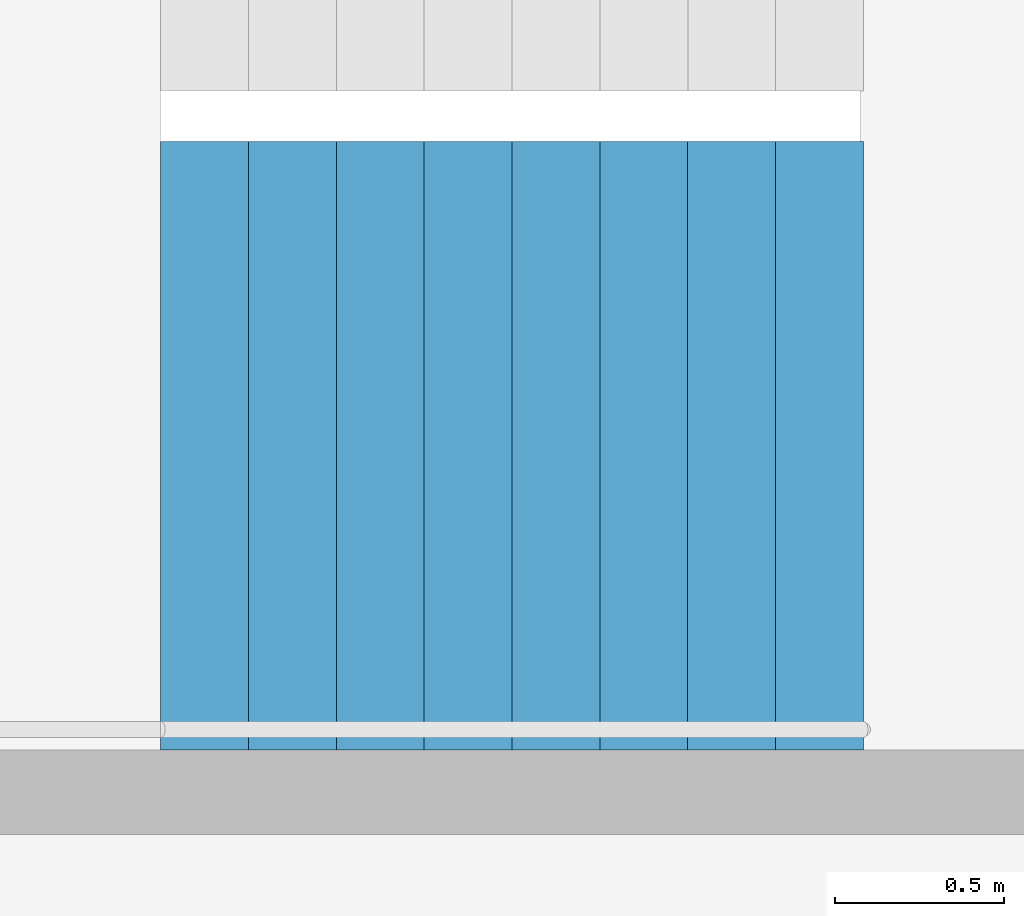
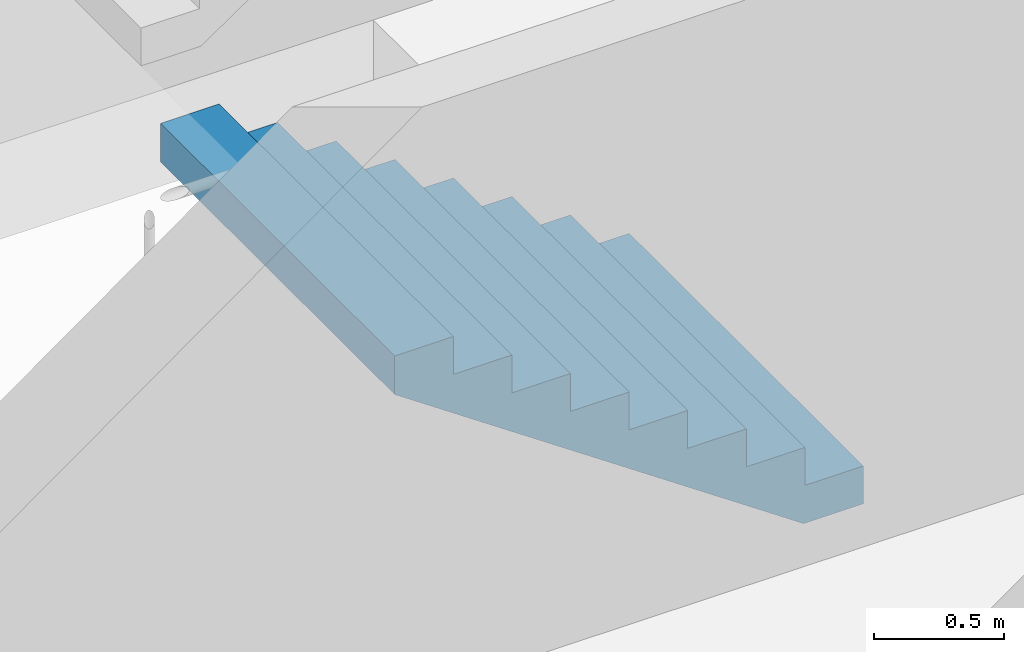
# One storey, part 24 of 30: 1 stair flight, 1 element without a shape of its own.
"""IFC4 building model written with IfcOpenShell, lengths in metres."""

import ifcopenshell
import ifcopenshell.guid

model = None  # the IFC model being written
_history = None  # IfcOwnerHistory: only IFC2X3 demands one
_inside = {}  # id of a spatial element -> (the spatial element, [elements in it])
_under = {}  # id of a project, library or spatial element -> (it, [spatial elements below it])
_declared = {}  # id of a project -> (the project, [libraries it declares])
_typed = {}  # id of a type object -> (the type object, [elements of that type])
_made_of = {}  # id of a material, layer set ... -> (it, [elements and type objects made of it])


def new_model(schema):
    """Start an empty IFC model of exactly this schema.

    Asked for "IFC4X3", IfcOpenShell would pick the latest addendum, in which some entities
    have other attributes; the version numbers below select the first issue.
    IFC2X3 requires an IfcOwnerHistory on every rooted entity: one is made here for all.
    """
    global model, _history
    if schema == "IFC4X3":
        model = ifcopenshell.file(schema_version=(4, 3, 0, 0))
    else:
        model = ifcopenshell.file(schema=schema)
    _inside.clear()
    _under.clear()
    _declared.clear()
    _typed.clear()
    _made_of.clear()
    _history = None
    if model.schema == "IFC2X3":
        org = make("IfcOrganization", Name="unknown")
        user = make(
            "IfcPersonAndOrganization",
            ThePerson=make("IfcPerson", FamilyName="unknown"),
            TheOrganization=org,
        )
        app = make(
            "IfcApplication",
            ApplicationDeveloper=org,
            Version="unknown",
            ApplicationFullName="unknown",
            ApplicationIdentifier="unknown",
        )
        _history = make(
            "IfcOwnerHistory",
            OwningUser=user,
            OwningApplication=app,
            ChangeAction="ADDED",
            CreationDate=0,
        )
    return model


def make(cls, **values):
    """One entity of the class cls with the attributes given. An attribute that is None is left unset."""
    return model.create_entity(
        cls, **{name: value for name, value in values.items() if value is not None}
    )


def rooted(cls, **values):
    """An entity with a GlobalId (a new one), such as an element, a storey or a relation."""
    return make(cls, GlobalId=ifcopenshell.guid.new(), OwnerHistory=_history, **values)


def si_unit(unit_type, name, prefix=None):
    """IfcSIUnit, for example si_unit("LENGTHUNIT", "METRE", prefix="MILLI")."""
    return make("IfcSIUnit", UnitType=unit_type, Prefix=prefix, Name=name)


def assignment(units):
    """IfcUnitAssignment: the units of a project."""
    return None if units is None else make("IfcUnitAssignment", Units=units)


def point(xyz):
    """IfcCartesianPoint."""
    return None if xyz is None else make("IfcCartesianPoint", Coordinates=xyz)


def direction(xyz):
    """IfcDirection."""
    return None if xyz is None else make("IfcDirection", DirectionRatios=xyz)


def frame(location, z_axis=None, x_axis=None):
    """IfcAxis2Placement3D, a coordinate frame: its origin and axes. An axis left out is left unset."""
    return make(
        "IfcAxis2Placement3D",
        Location=point(location),
        Axis=direction(z_axis),
        RefDirection=direction(x_axis),
    )


def origin():
    """The frame at (0, 0, 0) with its axes left unset."""
    return frame((0.0, 0.0, 0.0))


def place(relative_to, where):
    """IfcLocalPlacement: puts the frame where relative to a parent placement (None: the world)."""
    return make(
        "IfcLocalPlacement", PlacementRelTo=relative_to, RelativePlacement=where
    )


def context(
    kind, dimensions, precision=None, world=None, true_north=None, identifier=None
):
    """IfcGeometricRepresentationContext, for example the 3D "Model" context."""
    return make(
        "IfcGeometricRepresentationContext",
        ContextIdentifier=identifier,
        ContextType=kind,
        CoordinateSpaceDimension=dimensions,
        Precision=precision,
        WorldCoordinateSystem=world,
        TrueNorth=true_north,
    )


def subcontext(parent, identifier, kind, view, scale=None):
    """IfcGeometricRepresentationSubContext, for example "Body" below "Model"."""
    return make(
        "IfcGeometricRepresentationSubContext",
        ContextIdentifier=identifier,
        ContextType=kind,
        ParentContext=parent,
        TargetScale=scale,
        TargetView=view,
    )


def project(units=None, contexts=None):
    """IfcProject with its units and contexts."""
    return rooted(
        "IfcProject",
        Name="project",
        RepresentationContexts=contexts,
        UnitsInContext=assignment(units),
    )


def spatial(cls, under=None, at=None, **own):
    """A site, building, storey or space (cls), placed at a placement, below another one or the project."""
    s = rooted(cls, ObjectPlacement=at, **own)
    if under is not None:
        _under.setdefault(under.id(), (under, []))[1].append(s)
    return s


def point_list(points):
    """IfcCartesianPointList2D or 3D."""
    cls = (
        "IfcCartesianPointList2D" if len(points[0]) == 2 else "IfcCartesianPointList3D"
    )
    return make(cls, CoordList=points)


def triangles(points, corners, closed=None, point_numbers=None):
    """IfcTriangulatedFaceSet: each triangle names its three corners, points numbered from 1."""
    return make(
        "IfcTriangulatedFaceSet",
        Coordinates=point_list(points),
        Closed=closed,
        CoordIndex=corners,
        PnIndex=point_numbers,
    )


def shape(context_of_items, identifier, shape_type, items):
    """IfcShapeRepresentation: the items that make up one representation, for example the "Body"."""
    return make(
        "IfcShapeRepresentation",
        ContextOfItems=context_of_items,
        RepresentationIdentifier=identifier,
        RepresentationType=shape_type,
        Items=items,
    )


def material(Name=None, Category=None):
    """IfcMaterial."""
    return make("IfcMaterial", Name=Name, Category=Category)


def made_of(thing, what):
    """Note that an element or type object is made of a material, layer set ...; save() writes the relation."""
    if what is not None:
        _made_of.setdefault(what.id(), (what, []))[1].append(thing)
    return thing


def type_object(cls, material=None, **own):
    """A type object (cls), such as IfcWallType, which elements share."""
    return made_of(rooted(cls, **own), material)


def element(
    cls,
    number,
    at=None,
    inside=None,
    cuts=None,
    type_object=None,
    material=None,
    context=None,
    identifier="Body",
    shape_type=None,
    held_by="IfcProductDefinitionShape",
    body=None,
    shapes=None,
    **own,
):
    """One element of the class cls, such as IfcWall. Its Tag is "e" and its number.

    at: its placement. inside: the storey or other place that contains it. cuts: it is an
    opening in that element (IfcRelVoidsElement). A single representation is given by context,
    identifier, shape_type and body (its items); several are given by shapes. held_by: the class
    of the entity that holds the representations. save() writes the other relations.
    """
    e = rooted(cls, Tag="e%d" % number, ObjectPlacement=at, **own)
    if body is not None:
        shapes = [shape(context, identifier, shape_type, body)]
    if shapes is not None:
        e.Representation = make(held_by, Representations=shapes)
    if inside is not None:
        _inside.setdefault(inside.id(), (inside, []))[1].append(e)
    if cuts is not None:
        rooted(
            "IfcRelVoidsElement", RelatingBuildingElement=cuts, RelatedOpeningElement=e
        )
    if type_object is not None:
        _typed.setdefault(type_object.id(), (type_object, []))[1].append(e)
    return made_of(e, material)


def aggregate(whole, parts):
    """IfcRelAggregates: a whole, such as a stair, and the parts it consists of."""
    return rooted("IfcRelAggregates", RelatingObject=whole, RelatedObjects=parts)


def save(model, path):
    """Write the relations noted so far, then the file.

    IfcRelAggregates (storeys below a building ...), IfcRelContainedInSpatialStructure (elements
    in a storey), IfcRelDefinesByType, IfcRelAssociatesMaterial and IfcRelDeclares: one each for
    every whole, place, type object, material and project.
    """
    for whole, parts in _under.values():
        aggregate(whole, parts)
    for where, things in _inside.values():
        rooted(
            "IfcRelContainedInSpatialStructure",
            RelatedElements=things,
            RelatingStructure=where,
        )
    for kind, things in _typed.values():
        rooted("IfcRelDefinesByType", RelatedObjects=things, RelatingType=kind)
    for what, things in _made_of.values():
        rooted("IfcRelAssociatesMaterial", RelatedObjects=things, RelatingMaterial=what)
    for by, libraries in _declared.values():
        rooted("IfcRelDeclares", RelatingContext=by, RelatedDefinitions=libraries)
    model.write(path)


model = new_model("IFC4")

# Units and contexts
model_context = context("Model", 3, precision=1e-05, world=origin(), true_north=direction((0.0, 1.0)))
body_context = subcontext(model_context, "Body", "Model", "MODEL_VIEW")
ifc_project = project(units=[si_unit("LENGTHUNIT", "METRE"), si_unit("AREAUNIT", "SQUARE_METRE"), si_unit("VOLUMEUNIT", "CUBIC_METRE"), si_unit("PLANEANGLEUNIT", "RADIAN"), si_unit("MASSUNIT", "GRAM", prefix="KILO")], contexts=[model_context])

# Site, building, storey
site_placement = place(None, origin())
site = spatial("IfcSite", under=ifc_project, at=site_placement, CompositionType="ELEMENT")
building_placement = place(site_placement, origin())
building = spatial("IfcBuilding", under=site, at=building_placement, Name="Hakoniwa Tower and Hamabe Station Hall", CompositionType="ELEMENT")
storey_placement = place(building_placement, frame((0.0, 0.0, 245.39990234375)))
storey = spatial("IfcBuildingStorey", under=building, at=storey_placement, Name="L69", CompositionType="ELEMENT", Elevation=245.39990234375)

# Stair, stair flight
ifc_material_1 = material(Name="Concrete C40", Category="concrete")
stair_type = type_object("IfcStairType", Name="ESCAPE STAIR 1800", PredefinedType="HALF_TURN_STAIR", material=ifc_material_1)
stair_placement = place(storey_placement, origin())
stair = element("IfcStair", 1, at=stair_placement, inside=storey, type_object=stair_type, Name="Escape stair ST-3 L69", PredefinedType="HALF_TURN_STAIR")
ifc_material_2 = material(Name="Concrete C40", Category="concrete")
stair_flight_type = type_object("IfcStairFlightType", Name="STAIR FLIGHT 1800", PredefinedType="STRAIGHT", material=ifc_material_2)
stair_flight_placement = place(storey_placement, frame((24.39990234375, 4.64990234375, 0.0), z_axis=(0.0, 0.0, 1.0), x_axis=(-1.0, 0.0, 0.0)))
stair_flight = element("IfcStairFlight", 2, at=stair_flight_placement, type_object=stair_flight_type, Name="ST-3 flight 1", NumberOfRisers=9, NumberOfTreads=8, PredefinedType="STRAIGHT", RiserHeight=0.177777778, TreadLength=0.26, context=body_context, shape_type="Tessellation", body=[
    triangles([(0.0, 0.89990234375, 0.0), (0.260009765625, 0.89990234375, 0.0), (0.265625, 0.89990234375, 0.0), (0.52001953125, 0.89990234375, 0.174072265625), (0.780029296875, 0.89990234375, 0.351806640625), (1.0400390625, 0.89990234375, 0.529541015625), (1.300048828125, 0.89990234375, 0.707275390625), (1.56005859375, 0.89990234375, 0.885009765625), (1.820068359375, 0.89990234375, 1.062744140625), (2.080078125, 0.89990234375, 1.24072265625), (2.080078125, 0.89990234375, 1.422119140625), (1.820068359375, 0.89990234375, 1.422119140625), (1.820068359375, 0.89990234375, 1.244384765625), (1.56005859375, 0.89990234375, 1.244384765625), (1.56005859375, 0.89990234375, 1.066650390625), (1.300048828125, 0.89990234375, 1.066650390625), (1.300048828125, 0.89990234375, 0.888916015625), (1.0400390625, 0.89990234375, 0.888916015625), (1.0400390625, 0.89990234375, 0.711181640625), (0.780029296875, 0.89990234375, 0.711181640625), (0.780029296875, 0.89990234375, 0.533447265625), (0.52001953125, 0.89990234375, 0.533447265625), (0.52001953125, 0.89990234375, 0.35546875), (0.265625, 0.89990234375, 0.35546875), (0.260009765625, 0.89990234375, 0.35546875), (0.260009765625, 0.89990234375, 0.177734375), (0.0, 0.89990234375, 0.177734375), (0.0, 0.06005859375, 0.0), (0.260009765625, 0.06005859375, 0.0), (0.265625, 0.06005859375, 0.0), (0.52001953125, 0.06005859375, 0.174072265625), (0.780029296875, 0.06005859375, 0.351806640625), (1.0400390625, 0.06005859375, 0.529541015625), (1.300048828125, 0.06005859375, 0.707275390625), (1.56005859375, 0.06005859375, 0.885009765625), (1.820068359375, 0.06005859375, 1.062744140625), (2.080078125, 0.06005859375, 1.24072265625), (2.080078125, 0.06005859375, 1.422119140625), (1.820068359375, 0.06005859375, 1.422119140625), (1.820068359375, 0.06005859375, 1.244384765625), (1.56005859375, 0.06005859375, 1.244384765625), (1.56005859375, 0.06005859375, 1.066650390625), (1.300048828125, 0.06005859375, 1.066650390625), (1.300048828125, 0.06005859375, 0.888916015625), (1.0400390625, 0.06005859375, 0.888916015625), (1.0400390625, 0.06005859375, 0.711181640625), (0.780029296875, 0.06005859375, 0.711181640625), (0.780029296875, 0.06005859375, 0.533447265625), (0.52001953125, 0.06005859375, 0.533447265625), (0.52001953125, 0.06005859375, 0.35546875), (0.265625, 0.06005859375, 0.35546875), (0.260009765625, 0.06005859375, 0.35546875), (0.260009765625, 0.06005859375, 0.177734375), (0.0, 0.06005859375, 0.177734375), (0.0, 0.04296875, 0.0), (0.260009765625, 0.04296875, 0.0), (0.265625, 0.04296875, 0.0), (0.52001953125, 0.04296875, 0.174072265625), (0.780029296875, 0.04296875, 0.351806640625), (1.0400390625, 0.04296875, 0.529541015625), (1.300048828125, 0.04296875, 0.707275390625), (1.56005859375, 0.04296875, 0.885009765625), (1.820068359375, 0.04296875, 1.062744140625), (2.080078125, 0.04296875, 1.24072265625), (2.080078125, 0.04296875, 1.422119140625), (1.820068359375, 0.04296875, 1.422119140625), (1.820068359375, 0.04296875, 1.244384765625), (1.56005859375, 0.04296875, 1.244384765625), (1.56005859375, 0.04296875, 1.066650390625), (1.300048828125, 0.04296875, 1.066650390625), (1.300048828125, 0.04296875, 0.888916015625), (1.0400390625, 0.04296875, 0.888916015625), (1.0400390625, 0.04296875, 0.711181640625), (0.780029296875, 0.04296875, 0.711181640625), (0.780029296875, 0.04296875, 0.533447265625), (0.52001953125, 0.04296875, 0.533447265625), (0.52001953125, 0.04296875, 0.35546875), (0.265625, 0.04296875, 0.35546875), (0.260009765625, 0.04296875, 0.35546875), (0.260009765625, 0.04296875, 0.177734375), (0.0, 0.04296875, 0.177734375), (0.0, 0.025634765625, 0.0), (0.260009765625, 0.025634765625, 0.0), (0.265625, 0.025634765625, 0.0), (0.52001953125, 0.025634765625, 0.174072265625), (0.780029296875, 0.025634765625, 0.351806640625), (1.0400390625, 0.025634765625, 0.529541015625), (1.300048828125, 0.025634765625, 0.707275390625), (1.56005859375, 0.025634765625, 0.885009765625), (1.820068359375, 0.025634765625, 1.062744140625), (2.080078125, 0.025634765625, 1.24072265625), (2.080078125, 0.025634765625, 1.422119140625), (1.820068359375, 0.025634765625, 1.422119140625), (1.820068359375, 0.025634765625, 1.244384765625), (1.56005859375, 0.025634765625, 1.244384765625), (1.56005859375, 0.025634765625, 1.066650390625), (1.300048828125, 0.025634765625, 1.066650390625), (1.300048828125, 0.025634765625, 0.888916015625), (1.0400390625, 0.025634765625, 0.888916015625), (1.0400390625, 0.025634765625, 0.711181640625), (0.780029296875, 0.025634765625, 0.711181640625), (0.780029296875, 0.025634765625, 0.533447265625), (0.52001953125, 0.025634765625, 0.533447265625), (0.52001953125, 0.025634765625, 0.35546875), (0.265625, 0.025634765625, 0.35546875), (0.260009765625, 0.025634765625, 0.35546875), (0.260009765625, 0.025634765625, 0.177734375), (0.0, 0.025634765625, 0.177734375), (0.0, 0.008544921875, 0.0), (0.260009765625, 0.008544921875, 0.0), (0.265625, 0.008544921875, 0.0), (0.52001953125, 0.008544921875, 0.174072265625), (0.780029296875, 0.008544921875, 0.351806640625), (1.0400390625, 0.008544921875, 0.529541015625), (1.300048828125, 0.008544921875, 0.707275390625), (1.56005859375, 0.008544921875, 0.885009765625), (1.820068359375, 0.008544921875, 1.062744140625), (2.080078125, 0.008544921875, 1.24072265625), (2.080078125, 0.008544921875, 1.422119140625), (1.820068359375, 0.008544921875, 1.422119140625), (1.820068359375, 0.008544921875, 1.244384765625), (1.56005859375, 0.008544921875, 1.244384765625), (1.56005859375, 0.008544921875, 1.066650390625), (1.300048828125, 0.008544921875, 1.066650390625), (1.300048828125, 0.008544921875, 0.888916015625), (1.0400390625, 0.008544921875, 0.888916015625), (1.0400390625, 0.008544921875, 0.711181640625), (0.780029296875, 0.008544921875, 0.711181640625), (0.780029296875, 0.008544921875, 0.533447265625), (0.52001953125, 0.008544921875, 0.533447265625), (0.52001953125, 0.008544921875, 0.35546875), (0.265625, 0.008544921875, 0.35546875), (0.260009765625, 0.008544921875, 0.35546875), (0.260009765625, 0.008544921875, 0.177734375), (0.0, 0.008544921875, 0.177734375), (0.0, -0.008544921875, 0.0), (0.260009765625, -0.008544921875, 0.0), (0.265625, -0.008544921875, 0.0), (0.52001953125, -0.008544921875, 0.174072265625), (0.780029296875, -0.008544921875, 0.351806640625), (1.0400390625, -0.008544921875, 0.529541015625), (1.300048828125, -0.008544921875, 0.707275390625), (1.56005859375, -0.008544921875, 0.885009765625), (1.820068359375, -0.008544921875, 1.062744140625), (2.080078125, -0.008544921875, 1.24072265625), (2.080078125, -0.008544921875, 1.422119140625), (1.820068359375, -0.008544921875, 1.422119140625), (1.820068359375, -0.008544921875, 1.244384765625), (1.56005859375, -0.008544921875, 1.244384765625), (1.56005859375, -0.008544921875, 1.066650390625), (1.300048828125, -0.008544921875, 1.066650390625), (1.300048828125, -0.008544921875, 0.888916015625), (1.0400390625, -0.008544921875, 0.888916015625), (1.0400390625, -0.008544921875, 0.711181640625), (0.780029296875, -0.008544921875, 0.711181640625), (0.780029296875, -0.008544921875, 0.533447265625), (0.52001953125, -0.008544921875, 0.533447265625), (0.52001953125, -0.008544921875, 0.35546875), (0.265625, -0.008544921875, 0.35546875), (0.260009765625, -0.008544921875, 0.35546875), (0.260009765625, -0.008544921875, 0.177734375), (0.0, -0.008544921875, 0.177734375), (0.0, -0.025634765625, 0.0), (0.260009765625, -0.025634765625, 0.0), (0.265625, -0.025634765625, 0.0), (0.52001953125, -0.025634765625, 0.174072265625), (0.780029296875, -0.025634765625, 0.351806640625), (1.0400390625, -0.025634765625, 0.529541015625), (1.300048828125, -0.025634765625, 0.707275390625), (1.56005859375, -0.025634765625, 0.885009765625), (1.820068359375, -0.025634765625, 1.062744140625), (2.080078125, -0.025634765625, 1.24072265625), (2.080078125, -0.025634765625, 1.422119140625), (1.820068359375, -0.025634765625, 1.422119140625), (1.820068359375, -0.025634765625, 1.244384765625), (1.56005859375, -0.025634765625, 1.244384765625), (1.56005859375, -0.025634765625, 1.066650390625), (1.300048828125, -0.025634765625, 1.066650390625), (1.300048828125, -0.025634765625, 0.888916015625), (1.0400390625, -0.025634765625, 0.888916015625), (1.0400390625, -0.025634765625, 0.711181640625), (0.780029296875, -0.025634765625, 0.711181640625), (0.780029296875, -0.025634765625, 0.533447265625), (0.52001953125, -0.025634765625, 0.533447265625), (0.52001953125, -0.025634765625, 0.35546875), (0.265625, -0.025634765625, 0.35546875), (0.260009765625, -0.025634765625, 0.35546875), (0.260009765625, -0.025634765625, 0.177734375), (0.0, -0.025634765625, 0.177734375), (0.0, -0.04296875, 0.0), (0.260009765625, -0.04296875, 0.0), (0.265625, -0.04296875, 0.0), (0.52001953125, -0.04296875, 0.174072265625), (0.780029296875, -0.04296875, 0.351806640625), (1.0400390625, -0.04296875, 0.529541015625), (1.300048828125, -0.04296875, 0.707275390625), (1.56005859375, -0.04296875, 0.885009765625), (1.820068359375, -0.04296875, 1.062744140625), (2.080078125, -0.04296875, 1.24072265625), (2.080078125, -0.04296875, 1.422119140625), (1.820068359375, -0.04296875, 1.422119140625), (1.820068359375, -0.04296875, 1.244384765625), (1.56005859375, -0.04296875, 1.244384765625), (1.56005859375, -0.04296875, 1.066650390625), (1.300048828125, -0.04296875, 1.066650390625), (1.300048828125, -0.04296875, 0.888916015625), (1.0400390625, -0.04296875, 0.888916015625), (1.0400390625, -0.04296875, 0.711181640625), (0.780029296875, -0.04296875, 0.711181640625), (0.780029296875, -0.04296875, 0.533447265625), (0.52001953125, -0.04296875, 0.533447265625), (0.52001953125, -0.04296875, 0.35546875), (0.265625, -0.04296875, 0.35546875), (0.260009765625, -0.04296875, 0.35546875), (0.260009765625, -0.04296875, 0.177734375), (0.0, -0.04296875, 0.177734375), (0.0, -0.06005859375, 0.0), (0.260009765625, -0.06005859375, 0.0), (0.265625, -0.06005859375, 0.0), (0.52001953125, -0.06005859375, 0.174072265625), (0.780029296875, -0.06005859375, 0.351806640625), (1.0400390625, -0.06005859375, 0.529541015625), (1.300048828125, -0.06005859375, 0.707275390625), (1.56005859375, -0.06005859375, 0.885009765625), (1.820068359375, -0.06005859375, 1.062744140625), (2.080078125, -0.06005859375, 1.24072265625), (2.080078125, -0.06005859375, 1.422119140625), (1.820068359375, -0.06005859375, 1.422119140625), (1.820068359375, -0.06005859375, 1.244384765625), (1.56005859375, -0.06005859375, 1.244384765625), (1.56005859375, -0.06005859375, 1.066650390625), (1.300048828125, -0.06005859375, 1.066650390625), (1.300048828125, -0.06005859375, 0.888916015625), (1.0400390625, -0.06005859375, 0.888916015625), (1.0400390625, -0.06005859375, 0.711181640625), (0.780029296875, -0.06005859375, 0.711181640625), (0.780029296875, -0.06005859375, 0.533447265625), (0.52001953125, -0.06005859375, 0.533447265625), (0.52001953125, -0.06005859375, 0.35546875), (0.265625, -0.06005859375, 0.35546875), (0.260009765625, -0.06005859375, 0.35546875), (0.260009765625, -0.06005859375, 0.177734375), (0.0, -0.06005859375, 0.177734375), (0.0, -0.89990234375, 0.0), (0.260009765625, -0.89990234375, 0.0), (0.265625, -0.89990234375, 0.0), (0.52001953125, -0.89990234375, 0.174072265625), (0.780029296875, -0.89990234375, 0.351806640625), (1.0400390625, -0.89990234375, 0.529541015625), (1.300048828125, -0.89990234375, 0.707275390625), (1.56005859375, -0.89990234375, 0.885009765625), (1.820068359375, -0.89990234375, 1.062744140625), (2.080078125, -0.89990234375, 1.24072265625), (2.080078125, -0.89990234375, 1.422119140625), (1.820068359375, -0.89990234375, 1.422119140625), (1.820068359375, -0.89990234375, 1.244384765625), (1.56005859375, -0.89990234375, 1.244384765625), (1.56005859375, -0.89990234375, 1.066650390625), (1.300048828125, -0.89990234375, 1.066650390625), (1.300048828125, -0.89990234375, 0.888916015625), (1.0400390625, -0.89990234375, 0.888916015625), (1.0400390625, -0.89990234375, 0.711181640625), (0.780029296875, -0.89990234375, 0.711181640625), (0.780029296875, -0.89990234375, 0.533447265625), (0.52001953125, -0.89990234375, 0.533447265625), (0.52001953125, -0.89990234375, 0.35546875), (0.265625, -0.89990234375, 0.35546875), (0.260009765625, -0.89990234375, 0.35546875), (0.260009765625, -0.89990234375, 0.177734375), (0.0, -0.89990234375, 0.177734375)], [[2, 27, 26], [245, 269, 270], [2, 1, 27], [245, 270, 244], [3, 25, 24], [246, 267, 268], [3, 26, 25], [246, 268, 269], [3, 2, 26], [246, 269, 245], [4, 24, 23], [247, 266, 267], [4, 3, 24], [247, 267, 246], [5, 22, 21], [248, 264, 265], [5, 23, 22], [248, 265, 266], [5, 4, 23], [248, 266, 247], [6, 20, 19], [249, 262, 263], [6, 21, 20], [249, 263, 264], [6, 5, 21], [249, 264, 248], [7, 18, 17], [250, 260, 261], [7, 19, 18], [250, 261, 262], [7, 6, 19], [250, 262, 249], [8, 16, 15], [251, 258, 259], [8, 17, 16], [251, 259, 260], [8, 7, 17], [251, 260, 250], [9, 14, 13], [252, 256, 257], [9, 15, 14], [252, 257, 258], [9, 8, 15], [252, 258, 251], [10, 12, 11], [253, 254, 255], [10, 13, 12], [253, 255, 256], [10, 9, 13], [253, 256, 252], [1, 2, 29], [1, 29, 28], [28, 29, 56], [28, 56, 55], [55, 56, 83], [55, 83, 82], [82, 83, 110], [82, 110, 109], [109, 110, 137], [109, 137, 136], [136, 137, 164], [136, 164, 163], [163, 164, 191], [163, 191, 190], [190, 191, 218], [190, 218, 217], [217, 218, 245], [217, 245, 244], [2, 3, 30], [2, 30, 29], [29, 30, 57], [29, 57, 56], [56, 57, 84], [56, 84, 83], [83, 84, 111], [83, 111, 110], [110, 111, 138], [110, 138, 137], [137, 138, 165], [137, 165, 164], [164, 165, 192], [164, 192, 191], [191, 192, 219], [191, 219, 218], [218, 219, 246], [218, 246, 245], [3, 4, 31], [3, 31, 30], [30, 31, 58], [30, 58, 57], [57, 58, 85], [57, 85, 84], [84, 85, 112], [84, 112, 111], [111, 112, 139], [111, 139, 138], [138, 139, 166], [138, 166, 165], [165, 166, 193], [165, 193, 192], [192, 193, 220], [192, 220, 219], [219, 220, 247], [219, 247, 246], [4, 5, 32], [4, 32, 31], [31, 32, 59], [31, 59, 58], [58, 59, 86], [58, 86, 85], [85, 86, 113], [85, 113, 112], [112, 113, 140], [112, 140, 139], [139, 140, 167], [139, 167, 166], [166, 167, 194], [166, 194, 193], [193, 194, 221], [193, 221, 220], [220, 221, 248], [220, 248, 247], [5, 6, 33], [5, 33, 32], [32, 33, 60], [32, 60, 59], [59, 60, 87], [59, 87, 86], [86, 87, 114], [86, 114, 113], [113, 114, 141], [113, 141, 140], [140, 141, 168], [140, 168, 167], [167, 168, 195], [167, 195, 194], [194, 195, 222], [194, 222, 221], [221, 222, 249], [221, 249, 248], [6, 7, 34], [6, 34, 33], [33, 34, 61], [33, 61, 60], [60, 61, 88], [60, 88, 87], [87, 88, 115], [87, 115, 114], [114, 115, 142], [114, 142, 141], [141, 142, 169], [141, 169, 168], [168, 169, 196], [168, 196, 195], [195, 196, 223], [195, 223, 222], [222, 223, 250], [222, 250, 249], [7, 8, 35], [7, 35, 34], [34, 35, 62], [34, 62, 61], [61, 62, 89], [61, 89, 88], [88, 89, 116], [88, 116, 115], [115, 116, 143], [115, 143, 142], [142, 143, 170], [142, 170, 169], [169, 170, 197], [169, 197, 196], [196, 197, 224], [196, 224, 223], [223, 224, 251], [223, 251, 250], [8, 9, 36], [8, 36, 35], [35, 36, 63], [35, 63, 62], [62, 63, 90], [62, 90, 89], [89, 90, 117], [89, 117, 116], [116, 117, 144], [116, 144, 143], [143, 144, 171], [143, 171, 170], [170, 171, 198], [170, 198, 197], [197, 198, 225], [197, 225, 224], [224, 225, 252], [224, 252, 251], [9, 10, 37], [9, 37, 36], [36, 37, 64], [36, 64, 63], [63, 64, 91], [63, 91, 90], [90, 91, 118], [90, 118, 117], [117, 118, 145], [117, 145, 144], [144, 145, 172], [144, 172, 171], [171, 172, 199], [171, 199, 198], [198, 199, 226], [198, 226, 225], [225, 226, 253], [225, 253, 252], [10, 11, 38], [10, 38, 37], [37, 38, 65], [37, 65, 64], [64, 65, 92], [64, 92, 91], [91, 92, 119], [91, 119, 118], [118, 119, 146], [118, 146, 145], [145, 146, 173], [145, 173, 172], [172, 173, 200], [172, 200, 199], [199, 200, 227], [199, 227, 226], [226, 227, 254], [226, 254, 253], [11, 12, 39], [11, 39, 38], [38, 39, 66], [38, 66, 65], [65, 66, 93], [65, 93, 92], [92, 93, 120], [92, 120, 119], [119, 120, 147], [119, 147, 146], [146, 147, 174], [146, 174, 173], [173, 174, 201], [173, 201, 200], [200, 201, 228], [200, 228, 227], [227, 228, 255], [227, 255, 254], [12, 13, 40], [12, 40, 39], [39, 40, 67], [39, 67, 66], [66, 67, 94], [66, 94, 93], [93, 94, 121], [93, 121, 120], [120, 121, 148], [120, 148, 147], [147, 148, 175], [147, 175, 174], [174, 175, 202], [174, 202, 201], [201, 202, 229], [201, 229, 228], [228, 229, 256], [228, 256, 255], [13, 14, 41], [13, 41, 40], [40, 41, 68], [40, 68, 67], [67, 68, 95], [67, 95, 94], [94, 95, 122], [94, 122, 121], [121, 122, 149], [121, 149, 148], [148, 149, 176], [148, 176, 175], [175, 176, 203], [175, 203, 202], [202, 203, 230], [202, 230, 229], [229, 230, 257], [229, 257, 256], [14, 15, 42], [14, 42, 41], [41, 42, 69], [41, 69, 68], [68, 69, 96], [68, 96, 95], [95, 96, 123], [95, 123, 122], [122, 123, 150], [122, 150, 149], [149, 150, 177], [149, 177, 176], [176, 177, 204], [176, 204, 203], [203, 204, 231], [203, 231, 230], [230, 231, 258], [230, 258, 257], [15, 16, 43], [15, 43, 42], [42, 43, 70], [42, 70, 69], [69, 70, 97], [69, 97, 96], [96, 97, 124], [96, 124, 123], [123, 124, 151], [123, 151, 150], [150, 151, 178], [150, 178, 177], [177, 178, 205], [177, 205, 204], [204, 205, 232], [204, 232, 231], [231, 232, 259], [231, 259, 258], [16, 17, 44], [16, 44, 43], [43, 44, 71], [43, 71, 70], [70, 71, 98], [70, 98, 97], [97, 98, 125], [97, 125, 124], [124, 125, 152], [124, 152, 151], [151, 152, 179], [151, 179, 178], [178, 179, 206], [178, 206, 205], [205, 206, 233], [205, 233, 232], [232, 233, 260], [232, 260, 259], [17, 18, 45], [17, 45, 44], [44, 45, 72], [44, 72, 71], [71, 72, 99], [71, 99, 98], [98, 99, 126], [98, 126, 125], [125, 126, 153], [125, 153, 152], [152, 153, 180], [152, 180, 179], [179, 180, 207], [179, 207, 206], [206, 207, 234], [206, 234, 233], [233, 234, 261], [233, 261, 260], [18, 19, 46], [18, 46, 45], [45, 46, 73], [45, 73, 72], [72, 73, 100], [72, 100, 99], [99, 100, 127], [99, 127, 126], [126, 127, 154], [126, 154, 153], [153, 154, 181], [153, 181, 180], [180, 181, 208], [180, 208, 207], [207, 208, 235], [207, 235, 234], [234, 235, 262], [234, 262, 261], [19, 20, 47], [19, 47, 46], [46, 47, 74], [46, 74, 73], [73, 74, 101], [73, 101, 100], [100, 101, 128], [100, 128, 127], [127, 128, 155], [127, 155, 154], [154, 155, 182], [154, 182, 181], [181, 182, 209], [181, 209, 208], [208, 209, 236], [208, 236, 235], [235, 236, 263], [235, 263, 262], [20, 21, 48], [20, 48, 47], [47, 48, 75], [47, 75, 74], [74, 75, 102], [74, 102, 101], [101, 102, 129], [101, 129, 128], [128, 129, 156], [128, 156, 155], [155, 156, 183], [155, 183, 182], [182, 183, 210], [182, 210, 209], [209, 210, 237], [209, 237, 236], [236, 237, 264], [236, 264, 263], [21, 22, 49], [21, 49, 48], [48, 49, 76], [48, 76, 75], [75, 76, 103], [75, 103, 102], [102, 103, 130], [102, 130, 129], [129, 130, 157], [129, 157, 156], [156, 157, 184], [156, 184, 183], [183, 184, 211], [183, 211, 210], [210, 211, 238], [210, 238, 237], [237, 238, 265], [237, 265, 264], [22, 23, 50], [22, 50, 49], [49, 50, 77], [49, 77, 76], [76, 77, 104], [76, 104, 103], [103, 104, 131], [103, 131, 130], [130, 131, 158], [130, 158, 157], [157, 158, 185], [157, 185, 184], [184, 185, 212], [184, 212, 211], [211, 212, 239], [211, 239, 238], [238, 239, 266], [238, 266, 265], [23, 24, 51], [23, 51, 50], [50, 51, 78], [50, 78, 77], [77, 78, 105], [77, 105, 104], [104, 105, 132], [104, 132, 131], [131, 132, 159], [131, 159, 158], [158, 159, 186], [158, 186, 185], [185, 186, 213], [185, 213, 212], [212, 213, 240], [212, 240, 239], [239, 240, 267], [239, 267, 266], [24, 25, 52], [24, 52, 51], [51, 52, 79], [51, 79, 78], [78, 79, 106], [78, 106, 105], [105, 106, 133], [105, 133, 132], [132, 133, 160], [132, 160, 159], [159, 160, 187], [159, 187, 186], [186, 187, 214], [186, 214, 213], [213, 214, 241], [213, 241, 240], [240, 241, 268], [240, 268, 267], [25, 26, 53], [25, 53, 52], [52, 53, 80], [52, 80, 79], [79, 80, 107], [79, 107, 106], [106, 107, 134], [106, 134, 133], [133, 134, 161], [133, 161, 160], [160, 161, 188], [160, 188, 187], [187, 188, 215], [187, 215, 214], [214, 215, 242], [214, 242, 241], [241, 242, 269], [241, 269, 268], [26, 27, 54], [26, 54, 53], [53, 54, 81], [53, 81, 80], [80, 81, 108], [80, 108, 107], [107, 108, 135], [107, 135, 134], [134, 135, 162], [134, 162, 161], [161, 162, 189], [161, 189, 188], [188, 189, 216], [188, 216, 215], [215, 216, 243], [215, 243, 242], [242, 243, 270], [242, 270, 269], [27, 1, 28], [27, 28, 54], [54, 28, 55], [54, 55, 81], [81, 55, 82], [81, 82, 108], [108, 82, 109], [108, 109, 135], [135, 109, 136], [135, 136, 162], [162, 136, 163], [162, 163, 189], [189, 163, 190], [189, 190, 216], [216, 190, 217], [216, 217, 243], [243, 217, 244], [243, 244, 270]], closed=True),
])
aggregate(stair, [stair_flight])

save(model, "model.ifc")
